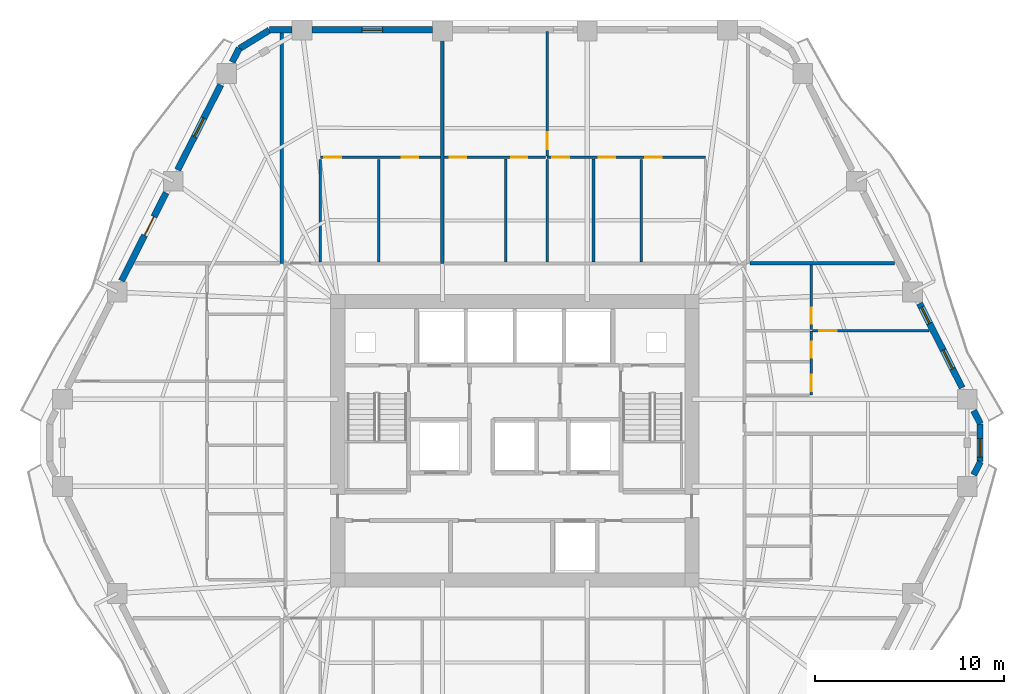
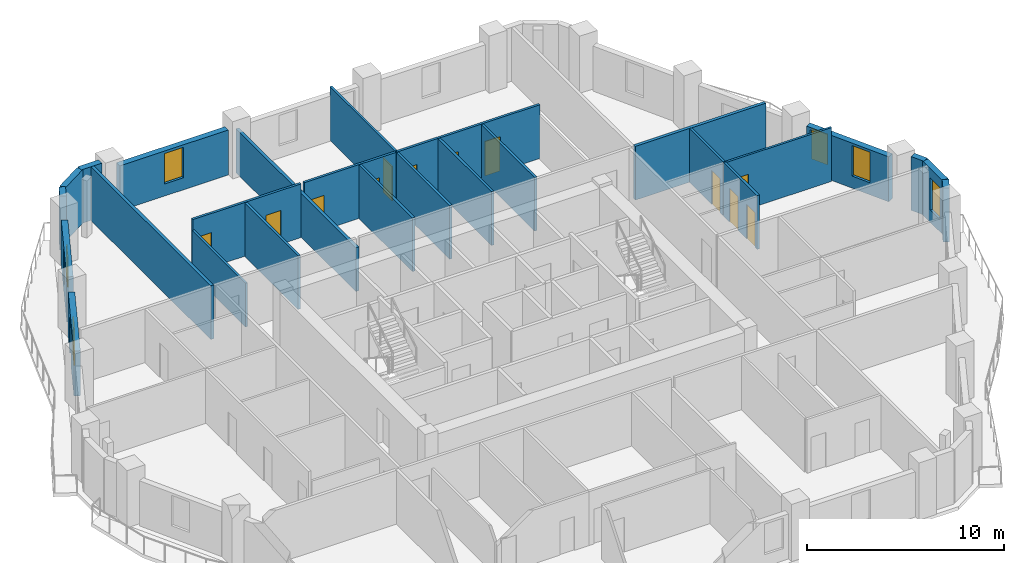
# One storey, part 7 of 11: 26 walls, 13 doors, 5 windows, 18 openings.
"""IFC4 building model written with IfcOpenShell, lengths in metres."""

from ifc_helpers import new_model, si_unit, direction, frame, frame_2d, origin, place, context, subcontext, project, spatial, rectangle, extrude, material, layer, layer_set, type_object, element, fill, save


model = new_model("IFC4")

# Units and contexts
model_context = context("Model", 3, precision=1e-05, world=origin(), true_north=direction((0.0, 1.0)))
body_context = subcontext(model_context, "Body", "Model", "MODEL_VIEW")
ifc_project = project(units=[si_unit("LENGTHUNIT", "METRE"), si_unit("AREAUNIT", "SQUARE_METRE"), si_unit("VOLUMEUNIT", "CUBIC_METRE"), si_unit("PLANEANGLEUNIT", "RADIAN"), si_unit("MASSUNIT", "GRAM", prefix="KILO")], contexts=[model_context])

# Site, building, storey
site_placement = place(None, origin())
site = spatial("IfcSite", under=ifc_project, at=site_placement, CompositionType="ELEMENT")
building_placement = place(site_placement, origin())
building = spatial("IfcBuilding", under=site, at=building_placement, Name="Cinnabar Lancet Tower", CompositionType="ELEMENT")
storey_placement = place(building_placement, frame((0.0, 0.0, 105.5)))
storey = spatial("IfcBuildingStorey", under=building, at=storey_placement, Name="L27", CompositionType="ELEMENT", Elevation=105.5)

# Walls
ifc_material_1 = material(Name="Fire-rated twin-frame acoustic drywall", Category="gypsum")
ifc_layer_1 = layer(ifc_material_1, 0.179931640625)
ifc_layer_set_1 = layer_set([ifc_layer_1], Name="Fire-rated twin-frame acoustic drywall")
wall_type_1 = type_object("IfcWallType", Name="ARC-WL-PARTY-180", PredefinedType="PARTITIONING", material=ifc_layer_set_1)
wall_1_placement = place(storey_placement, frame((20.050048828125, 35.300048828125, 0.0), z_axis=(0.0, 0.0, 1.0), x_axis=(0.0, 1.0, 0.0)))
element("IfcWall", 1, at=wall_1_placement, inside=storey, type_object=wall_type_1, Name="PW-L27-NPTY-200", PredefinedType="PARTITIONING", context=body_context, shape_type="SweptSolid", body=[
    extrude(rectangle(XDim=12.195068359375, YDim=0.179931640625, at=frame_2d((6.09765625, 0.0))), origin(), (0.0, 0.0, 1.0), 3.340087890625),
])
wall_2_placement = place(storey_placement, frame((28.568115234375, 35.300048828125, 0.0), z_axis=(0.0, 0.0, 1.0), x_axis=(0.0, 1.0, 0.0)))
element("IfcWall", 2, at=wall_2_placement, inside=storey, type_object=wall_type_1, Name="PW-L27-NPTY-286", PredefinedType="PARTITIONING", context=body_context, shape_type="SweptSolid", body=[
    extrude(rectangle(XDim=12.195068359375, YDim=0.179931640625, at=frame_2d((6.09765625, 0.0))), origin(), (0.0, 0.0, 1.0), 2.721923828125),
])
wall_3_placement = place(storey_placement, frame((44.844970703125, 35.300048828125, 0.0), z_axis=(0.0, 0.0, 1.0), x_axis=(1.0, 0.0, 0.0)))
element("IfcWall", 3, at=wall_3_placement, inside=storey, type_object=wall_type_1, Name="PW-L27-ENB", PredefinedType="PARTITIONING", context=body_context, shape_type="SweptSolid", body=[
    extrude(rectangle(XDim=7.6689453125, YDim=0.179931640625, at=frame_2d((3.83447265625, 0.0))), origin(), (0.0, 0.0, 1.0), 3.340087890625),
])
ifc_material_2 = material(Name="Gypsum plasterboard stud partition", Category="gypsum")
ifc_layer_2 = layer(ifc_material_2, 0.125)
ifc_layer_set_2 = layer_set([ifc_layer_2], Name="Gypsum plasterboard stud partition")
wall_type_2 = type_object("IfcWallType", Name="ARC-WL-UNIT-125", PredefinedType="PARTITIONING", material=ifc_layer_set_2)
wall_4_placement = place(storey_placement, frame((22.10009765625, 35.385009765625, 0.0), z_axis=(0.0, 0.0, 1.0), x_axis=(0.0, 1.0, 0.0)))
element("IfcWall", 4, at=wall_4_placement, inside=storey, type_object=wall_type_2, Name="UW-L27-N01-FOYE", PredefinedType="PARTITIONING", context=body_context, shape_type="SweptSolid", body=[
    extrude(rectangle(XDim=5.419921875, YDim=0.125, at=frame_2d((2.7099609375, 0.0))), origin(), (0.0, 0.0, 1.0), 2.721923828125),
])

# Wall, opening, door
wall_5_placement = place(storey_placement, frame((34.111083984375, 40.985107421875, 0.0), z_axis=(0.0, 0.0, 1.0), x_axis=(0.0, 1.0, 0.0)))
wall_5 = element("IfcWall", 5, at=wall_5_placement, inside=storey, type_object=wall_type_2, Name="UW-L27-N02-MBW", PredefinedType="PARTITIONING", context=body_context, shape_type="SweptSolid", body=[
    extrude(rectangle(XDim=6.599853515625, YDim=0.125, at=frame_2d((3.2998046875, 0.0))), origin(), (0.0, 0.0, 1.0), 3.340087890625),
])
opening_1_placement = place(wall_5_placement, frame((0.35009765625, 0.0, 0.0)))
opening_1 = element("IfcOpeningElement", 6, at=opening_1_placement, cuts=wall_5, Name="Opening RD-01", PredefinedType="OPENING", context=body_context, shape_type="SweptSolid", body=[
    extrude(rectangle(XDim=0.919921875, YDim=2.14990234375, at=frame_2d((0.4599609375, 1.074951171875))), frame((0.0, 0.072509765625, 0.0), z_axis=(0.0, -1.0, 0.0), x_axis=(1.0, 0.0, 0.0)), (0.0, 0.0, 1.0), 0.14501953125),
])
ifc_material_3 = material(Name="Engineered timber bedroom door", Category="wood")
door_type_1 = type_object("IfcDoorType", Name="ARC-DR-ROOM", OperationType="NOTDEFINED", PredefinedType="DOOR", material=ifc_material_3)
door_1_placement = place(opening_1_placement, origin())
door_1 = element("IfcDoor", 7, at=door_1_placement, inside=storey, type_object=door_type_1, Name="DR-L27-N02-MBD", OperationType="SINGLE_SWING_RIGHT", OverallHeight=2.14990234375, OverallWidth=0.919921875, PredefinedType="DOOR", context=body_context, shape_type="SweptSolid", body=[
    extrude(rectangle(XDim=0.919921875, YDim=2.14990234375, at=frame_2d((0.4599609375, 1.074951171875))), frame((0.0, 0.02490234375, 0.0), z_axis=(0.0, -1.0, 0.0), x_axis=(1.0, 0.0, 0.0)), (0.0, 0.0, 1.0), 0.050048828125),
])
fill(opening_1, door_1)

wall_6_placement = place(storey_placement, frame((48.175048828125, 31.72607421875, 0.0), z_axis=(0.0, 0.0, 1.0), x_axis=(1.0, 0.0, 0.0)))
wall_6 = element("IfcWall", 8, at=wall_6_placement, inside=storey, type_object=wall_type_2, Name="UW-L27-E02-MBN", PredefinedType="PARTITIONING", context=body_context, shape_type="SweptSolid", body=[
    extrude(rectangle(XDim=6.161865234375, YDim=0.125, at=frame_2d((3.0810546875, 0.0))), origin(), (0.0, 0.0, 1.0), 3.340087890625),
])
opening_2_placement = place(wall_6_placement, frame((0.35009765625, 0.0, 0.0)))
opening_2 = element("IfcOpeningElement", 9, at=opening_2_placement, cuts=wall_6, Name="Opening RD-01", PredefinedType="OPENING", context=body_context, shape_type="SweptSolid", body=[
    extrude(rectangle(XDim=0.919921875, YDim=2.14990234375, at=frame_2d((0.4599609375, 1.074951171875))), frame((0.0, 0.072509765625, 0.0), z_axis=(0.0, -1.0, 0.0), x_axis=(1.0, 0.0, 0.0)), (0.0, 0.0, 1.0), 0.14501953125),
])
door_2_placement = place(opening_2_placement, origin())
door_2 = element("IfcDoor", 10, at=door_2_placement, inside=storey, type_object=door_type_1, Name="DR-L27-E02-MBD", OperationType="SINGLE_SWING_LEFT", OverallHeight=2.14990234375, OverallWidth=0.919921875, PredefinedType="DOOR", context=body_context, shape_type="SweptSolid", body=[
    extrude(rectangle(XDim=0.919921875, YDim=2.14990234375, at=frame_2d((0.4599609375, 1.074951171875))), frame((0.0, 0.02490234375, 0.0), z_axis=(0.0, -1.0, 0.0), x_axis=(1.0, 0.0, 0.0)), (0.0, 0.0, 1.0), 0.050048828125),
])
fill(opening_2, door_2)

# Wall, openings, doors
ifc_material_4 = material(Name="Moisture-resistant cement-board plumbing wall", Category="masonry")
ifc_layer_3 = layer(ifc_material_4, 0.139892578125)
ifc_layer_set_3 = layer_set([ifc_layer_3], Name="Moisture-resistant cement-board plumbing wall")
wall_type_3 = type_object("IfcWallType", Name="ARC-WL-WET-140", PredefinedType="PLUMBINGWALL", material=ifc_layer_set_3)
wall_7_placement = place(storey_placement, frame((22.10009765625, 40.909912109375, 0.0), z_axis=(0.0, 0.0, 1.0), x_axis=(1.0, 0.0, 0.0)))
wall_7 = element("IfcWall", 11, at=wall_7_placement, inside=storey, type_object=wall_type_3, Name="UW-L27-N01-SPL", PredefinedType="PLUMBINGWALL", context=body_context, shape_type="SweptSolid", body=[
    extrude(rectangle(XDim=6.372802734375, YDim=0.139892578125, at=frame_2d((3.1865234375, 0.0))), origin(), (0.0, 0.0, 1.0), 3.340087890625),
])
opening_3_placement = place(wall_7_placement, frame((4.31396484375, 0.0, 0.0)))
opening_3 = element("IfcOpeningElement", 12, at=opening_3_placement, cuts=wall_7, Name="Opening BD-01", PredefinedType="OPENING", context=body_context, shape_type="SweptSolid", body=[
    extrude(rectangle(XDim=0.860107421875, YDim=2.10009765625, at=frame_2d((0.43017578125, 1.050048828125))), frame((0.0, 0.079833984375, 0.0), z_axis=(0.0, -1.0, 0.0), x_axis=(1.0, 0.0, 0.0)), (0.0, 0.0, 1.0), 0.159912109375),
])
opening_4_placement = place(wall_7_placement, frame((0.219970703125, 0.0, 0.0)))
opening_4 = element("IfcOpeningElement", 13, at=opening_4_placement, cuts=wall_7, Name="Opening RD-02", PredefinedType="OPENING", context=body_context, shape_type="SweptSolid", body=[
    extrude(rectangle(XDim=0.8798828125, YDim=2.14990234375, at=frame_2d((0.43994140625, 1.074951171875))), frame((0.0, 0.079833984375, 0.0), z_axis=(0.0, -1.0, 0.0), x_axis=(1.0, 0.0, 0.0)), (0.0, 0.0, 1.0), 0.159912109375),
])
ifc_material_5 = material(Name="Moisture-resistant timber bathroom door", Category="wood")
door_type_2 = type_object("IfcDoorType", Name="ARC-DR-BATH", OperationType="NOTDEFINED", PredefinedType="DOOR", material=ifc_material_5)
door_3_placement = place(opening_3_placement, origin())
door_3 = element("IfcDoor", 14, at=door_3_placement, inside=storey, type_object=door_type_2, Name="DR-L27-N01-BTH", OperationType="SINGLE_SWING_RIGHT", OverallHeight=2.10009765625, OverallWidth=0.860107421875, PredefinedType="DOOR", context=body_context, shape_type="SweptSolid", body=[
    extrude(rectangle(XDim=0.860107421875, YDim=2.10009765625, at=frame_2d((0.43017578125, 1.050048828125))), frame((0.0, 0.02490234375, 0.0), z_axis=(0.0, -1.0, 0.0), x_axis=(1.0, 0.0, 0.0)), (0.0, 0.0, 1.0), 0.050048828125),
])
fill(opening_3, door_3)
ifc_material_6 = material(Name="Engineered timber study door", Category="wood")
door_type_3 = type_object("IfcDoorType", Name="ARC-DR-STUDY", OperationType="NOTDEFINED", PredefinedType="DOOR", material=ifc_material_6)
door_4_placement = place(opening_4_placement, origin())
door_4 = element("IfcDoor", 15, at=door_4_placement, inside=storey, type_object=door_type_3, Name="DR-L27-N01-KIT", OperationType="SINGLE_SWING_LEFT", OverallHeight=2.14990234375, OverallWidth=0.8798828125, PredefinedType="DOOR", context=body_context, shape_type="SweptSolid", body=[
    extrude(rectangle(XDim=0.8798828125, YDim=2.14990234375, at=frame_2d((0.43994140625, 1.074951171875))), frame((0.0, 0.02490234375, 0.0), z_axis=(0.0, -1.0, 0.0), x_axis=(1.0, 0.0, 0.0)), (0.0, 0.0, 1.0), 0.050048828125),
])
fill(opening_4, door_4)

# Wall
wall_8_placement = place(storey_placement, frame((25.205078125, 35.385009765625, 0.0), z_axis=(0.0, 0.0, 1.0), x_axis=(0.0, 1.0, 0.0)))
element("IfcWall", 16, at=wall_8_placement, inside=storey, type_object=wall_type_3, Name="UW-L27-N01-KDV", PredefinedType="PLUMBINGWALL", context=body_context, shape_type="SweptSolid", body=[
    extrude(rectangle(XDim=5.419921875, YDim=0.139892578125, at=frame_2d((2.7099609375, 0.0))), origin(), (0.0, 0.0, 1.0), 3.340087890625),
])

# Wall, openings, doors
wall_9_placement = place(storey_placement, frame((34.111083984375, 40.909912109375, 0.0), z_axis=(0.0, 0.0, 1.0), x_axis=(1.0, 0.0, 0.0)))
wall_9 = element("IfcWall", 17, at=wall_9_placement, inside=storey, type_object=wall_type_3, Name="UW-L27-N02-SPL", PredefinedType="PLUMBINGWALL", context=body_context, shape_type="SweptSolid", body=[
    extrude(rectangle(XDim=8.388916015625, YDim=0.139892578125, at=frame_2d((4.1943359375, 0.0))), origin(), (0.0, 0.0, 1.0), 3.340087890625),
])
opening_5_placement = place(wall_9_placement, frame((0.280029296875, 0.0, 0.0)))
opening_5 = element("IfcOpeningElement", 18, at=opening_5_placement, cuts=wall_9, Name="Opening RD-02", PredefinedType="OPENING", context=body_context, shape_type="SweptSolid", body=[
    extrude(rectangle(XDim=0.8798828125, YDim=2.14990234375, at=frame_2d((0.43994140625, 1.074951171875))), frame((0.0, 0.079833984375, 0.0), z_axis=(0.0, -1.0, 0.0), x_axis=(1.0, 0.0, 0.0)), (0.0, 0.0, 1.0), 0.159912109375),
])
opening_6_placement = place(wall_9_placement, frame((2.737060546875, 0.0, 0.0)))
opening_6 = element("IfcOpeningElement", 19, at=opening_6_placement, cuts=wall_9, Name="Opening BD-01", PredefinedType="OPENING", context=body_context, shape_type="SweptSolid", body=[
    extrude(rectangle(XDim=0.860107421875, YDim=2.10009765625, at=frame_2d((0.43017578125, 1.050048828125))), frame((0.0, 0.079833984375, 0.0), z_axis=(0.0, -1.0, 0.0), x_axis=(1.0, 0.0, 0.0)), (0.0, 0.0, 1.0), 0.159912109375),
])
opening_7_placement = place(wall_9_placement, frame((5.18896484375, 0.0, 0.0)))
opening_7 = element("IfcOpeningElement", 20, at=opening_7_placement, cuts=wall_9, Name="Opening RD-02", PredefinedType="OPENING", context=body_context, shape_type="SweptSolid", body=[
    extrude(rectangle(XDim=0.8798828125, YDim=2.14990234375, at=frame_2d((0.43994140625, 1.074951171875))), frame((0.0, 0.079833984375, 0.0), z_axis=(0.0, -1.0, 0.0), x_axis=(1.0, 0.0, 0.0)), (0.0, 0.0, 1.0), 0.159912109375),
])
door_5_placement = place(opening_6_placement, origin())
door_5 = element("IfcDoor", 21, at=door_5_placement, inside=storey, type_object=door_type_2, Name="DR-L27-N02-BTH", OperationType="SINGLE_SWING_LEFT", OverallHeight=2.10009765625, OverallWidth=0.860107421875, PredefinedType="DOOR", context=body_context, shape_type="SweptSolid", body=[
    extrude(rectangle(XDim=0.860107421875, YDim=2.10009765625, at=frame_2d((0.43017578125, 1.050048828125))), frame((0.0, 0.02490234375, 0.0), z_axis=(0.0, -1.0, 0.0), x_axis=(1.0, 0.0, 0.0)), (0.0, 0.0, 1.0), 0.050048828125),
])
fill(opening_6, door_5)
door_6_placement = place(opening_5_placement, origin())
door_6 = element("IfcDoor", 22, at=door_6_placement, inside=storey, type_object=door_type_3, Name="DR-L27-N02-BTH-WDR", OperationType="SINGLE_SWING_RIGHT", OverallHeight=2.14990234375, OverallWidth=0.8798828125, PredefinedType="DOOR", context=body_context, shape_type="SweptSolid", body=[
    extrude(rectangle(XDim=0.8798828125, YDim=2.14990234375, at=frame_2d((0.43994140625, 1.074951171875))), frame((0.0, 0.02490234375, 0.0), z_axis=(0.0, -1.0, 0.0), x_axis=(1.0, 0.0, 0.0)), (0.0, 0.0, 1.0), 0.050048828125),
])
fill(opening_5, door_6)
door_7_placement = place(opening_7_placement, origin())
door_7 = element("IfcDoor", 23, at=door_7_placement, inside=storey, type_object=door_type_3, Name="DR-L27-N02-KIT", OperationType="SINGLE_SWING_LEFT", OverallHeight=2.14990234375, OverallWidth=0.8798828125, PredefinedType="DOOR", context=body_context, shape_type="SweptSolid", body=[
    extrude(rectangle(XDim=0.8798828125, YDim=2.14990234375, at=frame_2d((0.43994140625, 1.074951171875))), frame((0.0, 0.02490234375, 0.0), z_axis=(0.0, -1.0, 0.0), x_axis=(1.0, 0.0, 0.0)), (0.0, 0.0, 1.0), 0.050048828125),
])
fill(opening_7, door_7)

wall_10_placement = place(storey_placement, frame((28.6630859375, 40.909912109375, 0.0), z_axis=(0.0, 0.0, 1.0), x_axis=(1.0, 0.0, 0.0)))
wall_10 = element("IfcWall", 24, at=wall_10_placement, inside=storey, type_object=wall_type_3, Name="UW-L27-N02-SPM", PredefinedType="PLUMBINGWALL", context=body_context, shape_type="SweptSolid", body=[
    extrude(rectangle(XDim=5.372802734375, YDim=0.139892578125, at=frame_2d((2.6865234375, 0.0))), origin(), (0.0, 0.0, 1.0), 3.340087890625),
])
opening_8_placement = place(wall_10_placement, frame((0.280029296875, 0.0, 0.0)))
opening_8 = element("IfcOpeningElement", 25, at=opening_8_placement, cuts=wall_10, Name="Opening RD-02", PredefinedType="OPENING", context=body_context, shape_type="SweptSolid", body=[
    extrude(rectangle(XDim=0.8798828125, YDim=2.14990234375, at=frame_2d((0.43994140625, 1.074951171875))), frame((0.0, 0.079833984375, 0.0), z_axis=(0.0, -1.0, 0.0), x_axis=(1.0, 0.0, 0.0)), (0.0, 0.0, 1.0), 0.159912109375),
])
opening_9_placement = place(wall_10_placement, frame((3.54296875, 0.0, 0.0)))
opening_9 = element("IfcOpeningElement", 26, at=opening_9_placement, cuts=wall_10, Name="Opening BD-01", PredefinedType="OPENING", context=body_context, shape_type="SweptSolid", body=[
    extrude(rectangle(XDim=0.860107421875, YDim=2.10009765625, at=frame_2d((0.43017578125, 1.050048828125))), frame((0.0, 0.079833984375, 0.0), z_axis=(0.0, -1.0, 0.0), x_axis=(1.0, 0.0, 0.0)), (0.0, 0.0, 1.0), 0.159912109375),
])
door_8_placement = place(opening_9_placement, origin())
door_8 = element("IfcDoor", 27, at=door_8_placement, inside=storey, type_object=door_type_2, Name="DR-L27-N02-ENS", OperationType="SINGLE_SWING_RIGHT", OverallHeight=2.10009765625, OverallWidth=0.860107421875, PredefinedType="DOOR", context=body_context, shape_type="SweptSolid", body=[
    extrude(rectangle(XDim=0.860107421875, YDim=2.10009765625, at=frame_2d((0.43017578125, 1.050048828125))), frame((0.0, 0.02490234375, 0.0), z_axis=(0.0, -1.0, 0.0), x_axis=(1.0, 0.0, 0.0)), (0.0, 0.0, 1.0), 0.050048828125),
])
fill(opening_9, door_8)
door_9_placement = place(opening_8_placement, origin())
door_9 = element("IfcDoor", 28, at=door_9_placement, inside=storey, type_object=door_type_3, Name="DR-L27-N02-ENS-WDR", OperationType="SINGLE_SWING_LEFT", OverallHeight=2.14990234375, OverallWidth=0.8798828125, PredefinedType="DOOR", context=body_context, shape_type="SweptSolid", body=[
    extrude(rectangle(XDim=0.8798828125, YDim=2.14990234375, at=frame_2d((0.43994140625, 1.074951171875))), frame((0.0, 0.02490234375, 0.0), z_axis=(0.0, -1.0, 0.0), x_axis=(1.0, 0.0, 0.0)), (0.0, 0.0, 1.0), 0.050048828125),
])
fill(opening_8, door_9)

# Walls
for number, where, z_axis, x_axis, name in (
    (29, (39.10009765625, 35.385009765625, 0.0), (0.0, 0.0, 1.0), (0.0, 1.0, 0.0), "UW-L27-N02-KBD"),
    (30, (34.111083984375, 35.385009765625, 0.0), (0.0, 0.0, 1.0), (0.0, 1.0, 0.0), "UW-L27-N02-ENSW"),
):
    element("IfcWall", number, at=place(storey_placement, frame(where, z_axis=z_axis, x_axis=x_axis)), inside=storey, type_object=wall_type_3, Name=name, PredefinedType="PLUMBINGWALL", context=body_context, shape_type="SweptSolid", body=[
        extrude(rectangle(XDim=5.419921875, YDim=0.139892578125, at=frame_2d((2.7099609375, 0.0))), origin(), (0.0, 0.0, 1.0), 3.340087890625),
    ])
for number, where, z_axis, x_axis, name in (
    (31, (36.568115234375, 35.385009765625, 0.0), (0.0, 0.0, 1.0), (0.0, 1.0, 0.0), "UW-L27-N02-BTH-WDV"),
    (32, (31.926025390625, 35.385009765625, 0.0), (0.0, 0.0, 1.0), (0.0, 1.0, 0.0), "UW-L27-N02-ENS-WDV"),
):
    element("IfcWall", number, at=place(storey_placement, frame(where, z_axis=z_axis, x_axis=x_axis)), inside=storey, type_object=wall_type_3, Name=name, PredefinedType="PLUMBINGWALL", context=body_context, shape_type="SweptSolid", body=[
        extrude(rectangle(XDim=5.43994140625, YDim=0.139892578125, at=frame_2d((2.719970703125, 0.0))), origin(), (0.0, 0.0, 1.0), 3.340087890625),
    ])

# Wall, openings, doors
wall_11_placement = place(storey_placement, frame((48.10009765625, 28.325927734375, 0.0), z_axis=(0.0, 0.0, 1.0), x_axis=(0.0, 1.0, 0.0)))
wall_11 = element("IfcWall", 33, at=wall_11_placement, inside=storey, type_object=wall_type_3, Name="UW-L27-E02-SPL", PredefinedType="PLUMBINGWALL", context=body_context, shape_type="SweptSolid", body=[
    extrude(rectangle(XDim=3.400146484375, YDim=0.139892578125, at=frame_2d((1.7001953125, 0.0))), origin(), (0.0, 0.0, 1.0), 3.340087890625),
])
opening_10_placement = place(wall_11_placement, frame((0.199951171875, 0.0, 0.0)))
opening_10 = element("IfcOpeningElement", 34, at=opening_10_placement, cuts=wall_11, Name="Opening RD-02", PredefinedType="OPENING", context=body_context, shape_type="SweptSolid", body=[
    extrude(rectangle(XDim=0.8798828125, YDim=2.14990234375, at=frame_2d((0.43994140625, 1.074951171875))), frame((0.0, 0.079833984375, 0.0), z_axis=(0.0, -1.0, 0.0), x_axis=(1.0, 0.0, 0.0)), (0.0, 0.0, 1.0), 0.159912109375),
])
opening_11_placement = place(wall_11_placement, frame((1.968017578125, 0.0, 0.0)))
opening_11 = element("IfcOpeningElement", 35, at=opening_11_placement, cuts=wall_11, Name="Opening BD-01", PredefinedType="OPENING", context=body_context, shape_type="SweptSolid", body=[
    extrude(rectangle(XDim=0.860107421875, YDim=2.10009765625, at=frame_2d((0.43017578125, 1.050048828125))), frame((0.0, 0.079833984375, 0.0), z_axis=(0.0, -1.0, 0.0), x_axis=(1.0, 0.0, 0.0)), (0.0, 0.0, 1.0), 0.159912109375),
])
door_10_placement = place(opening_11_placement, origin())
door_10 = element("IfcDoor", 36, at=door_10_placement, inside=storey, type_object=door_type_2, Name="DR-L27-E02-BTH", OperationType="SINGLE_SWING_LEFT", OverallHeight=2.10009765625, OverallWidth=0.860107421875, PredefinedType="DOOR", context=body_context, shape_type="SweptSolid", body=[
    extrude(rectangle(XDim=0.860107421875, YDim=2.10009765625, at=frame_2d((0.43017578125, 1.050048828125))), frame((0.0, 0.02490234375, 0.0), z_axis=(0.0, -1.0, 0.0), x_axis=(1.0, 0.0, 0.0)), (0.0, 0.0, 1.0), 0.050048828125),
])
fill(opening_11, door_10)
door_11_placement = place(opening_10_placement, origin())
door_11 = element("IfcDoor", 37, at=door_11_placement, inside=storey, type_object=door_type_3, Name="DR-L27-E02-KIT", OperationType="SINGLE_SWING_RIGHT", OverallHeight=2.14990234375, OverallWidth=0.8798828125, PredefinedType="DOOR", context=body_context, shape_type="SweptSolid", body=[
    extrude(rectangle(XDim=0.8798828125, YDim=2.14990234375, at=frame_2d((0.43994140625, 1.074951171875))), frame((0.0, 0.02490234375, 0.0), z_axis=(0.0, -1.0, 0.0), x_axis=(1.0, 0.0, 0.0)), (0.0, 0.0, 1.0), 0.050048828125),
])
fill(opening_10, door_11)

# Wall, opening, door
wall_12_placement = place(storey_placement, frame((48.10009765625, 31.7958984375, 0.0), z_axis=(0.0, 0.0, 1.0), x_axis=(0.0, 1.0, 0.0)))
wall_12 = element("IfcWall", 38, at=wall_12_placement, inside=storey, type_object=wall_type_3, Name="UW-L27-E02-SPM", PredefinedType="PLUMBINGWALL", context=body_context, shape_type="SweptSolid", body=[
    extrude(rectangle(XDim=3.4091796875, YDim=0.139892578125, at=frame_2d((1.70458984375, 0.0))), origin(), (0.0, 0.0, 1.0), 3.340087890625),
])
opening_12_placement = place(wall_12_placement, frame((0.300048828125, 0.0, 0.0)))
opening_12 = element("IfcOpeningElement", 39, at=opening_12_placement, cuts=wall_12, Name="Opening BD-01", PredefinedType="OPENING", context=body_context, shape_type="SweptSolid", body=[
    extrude(rectangle(XDim=0.860107421875, YDim=2.10009765625, at=frame_2d((0.43017578125, 1.050048828125))), frame((0.0, 0.079833984375, 0.0), z_axis=(0.0, -1.0, 0.0), x_axis=(1.0, 0.0, 0.0)), (0.0, 0.0, 1.0), 0.159912109375),
])
door_12_placement = place(opening_12_placement, origin())
door_12 = element("IfcDoor", 40, at=door_12_placement, inside=storey, type_object=door_type_2, Name="DR-L27-E02-ENS", OperationType="SINGLE_SWING_LEFT", OverallHeight=2.10009765625, OverallWidth=0.860107421875, PredefinedType="DOOR", context=body_context, shape_type="SweptSolid", body=[
    extrude(rectangle(XDim=0.860107421875, YDim=2.10009765625, at=frame_2d((0.43017578125, 1.050048828125))), frame((0.0, 0.02490234375, 0.0), z_axis=(0.0, -1.0, 0.0), x_axis=(1.0, 0.0, 0.0)), (0.0, 0.0, 1.0), 0.050048828125),
])
fill(opening_12, door_12)

# Wall, opening, window
ifc_material_7 = material(Name="Cinnabar red clay brick", Category="masonry")
ifc_layer_4 = layer(ifc_material_7, 0.340087890625)
ifc_layer_set_4 = layer_set([ifc_layer_4], Name="Cinnabar red clay brick")
wall_type_4 = type_object("IfcWallType", Name="ENV-WL-BRK-RED-340", PredefinedType="STANDARD", material=ifc_layer_set_4)
wall_13_placement = place(storey_placement, frame((57.032958984375, 24.802978515625, 0.0), z_axis=(0.0, 0.0, 1.0), x_axis=(0.0, 1.0, 0.0)))
wall_13 = element("IfcWall", 41, at=wall_13_placement, inside=storey, type_object=wall_type_4, Name="L27 Chamfered Corner Brick Pier 3.1", PredefinedType="STANDARD", context=body_context, shape_type="SweptSolid", body=[
    extrude(rectangle(XDim=1.994140625, YDim=0.340087890625, at=frame_2d((0.9970703125, 0.0))), origin(), (0.0, 0.0, 1.0), 3.340087890625),
])
opening_13_placement = place(wall_13_placement, frame((0.239990234375, 0.0, 0.75)))
opening_13 = element("IfcOpeningElement", 42, at=opening_13_placement, cuts=wall_13, Name="Opening WN-04", PredefinedType="OPENING", context=body_context, shape_type="SweptSolid", body=[
    extrude(rectangle(XDim=0.972900390625, YDim=2.0, at=frame_2d((0.486328125, 1.0))), frame((0.0, 0.179931640625, 0.0), z_axis=(0.0, -1.0, 0.0), x_axis=(1.0, 0.0, 0.0)), (0.0, 0.0, 1.0), 0.360107421875),
])
ifc_material_8 = material(Name="Thermally broken bronze-anodized aluminium tall lancet window", Category="aluminium")
window_type = type_object("IfcWindowType", Name="ENV-WN-LANCET-1100", PartitioningType="SINGLE_PANEL", PredefinedType="WINDOW", material=ifc_material_8)
window_1_placement = place(opening_13_placement, origin())
window_1 = element("IfcWindow", 43, at=window_1_placement, inside=storey, type_object=window_type, Name="L27 Dwelling Gothic Lancet Window 317", OverallHeight=2.0, OverallWidth=0.972900390625, PartitioningType="SINGLE_PANEL", PredefinedType="WINDOW", context=body_context, shape_type="SweptSolid", body=[
    extrude(rectangle(XDim=0.972900390625, YDim=2.0, at=frame_2d((0.486328125, 1.0))), frame((0.0, 0.030029296875, 0.0), z_axis=(0.0, -1.0, 0.0), x_axis=(1.0, 0.0, 0.0)), (0.0, 0.0, 1.0), 0.06005859375),
])
fill(opening_13, window_1)

# Walls
wall_14_placement = place(storey_placement, frame((19.403076171875, 47.64501953125, 0.0), z_axis=(0.0, 0.0, 1.0), x_axis=(-0.851798915137, -0.523868884523, 0.0)))
element("IfcWall", 44, at=wall_14_placement, inside=storey, type_object=wall_type_4, Name="L27 Chamfered Corner Brick Pier 5.1", PredefinedType="STANDARD", context=body_context, shape_type="SweptSolid", body=[
    extrude(rectangle(XDim=1.847900390625, YDim=0.340087890625, at=frame_2d((0.923828125, 0.0))), origin(), (0.0, 0.0, 1.0), 3.340087890625),
])
for number, where, z_axis, x_axis, name in (
    (45, (56.699951171875, 24.096923828125, 0.0), (0.0, 0.0, 1.0), (0.451819324107, 0.89210946546, 0.0), "L27 Face 2 Masonry Bay Wall 5"),
    (46, (57.053955078125, 26.803955078125, 0.0), (0.0, 0.0, 1.0), (-0.451819324107, 0.89210946546, 0.0), "L27 Face 3 Masonry Bay Wall 1"),
):
    element("IfcWall", number, at=place(storey_placement, frame(where, z_axis=z_axis, x_axis=x_axis)), inside=storey, type_object=wall_type_4, Name=name, PredefinedType="STANDARD", context=body_context, shape_type="SweptSolid", body=[
        extrude(rectangle(XDim=0.783447265625, YDim=0.340087890625, at=frame_2d((0.3916015625, 0.0))), origin(), (0.0, 0.0, 1.0), 3.340087890625),
    ])

# Wall, openings, windows
wall_15_placement = place(storey_placement, frame((56.0869140625, 28.715087890625, 0.0), z_axis=(0.0, 0.0, 1.0), x_axis=(-0.451431617681, 0.892305718102, 0.0)))
wall_15 = element("IfcWall", 47, at=wall_15_placement, inside=storey, type_object=wall_type_4, Name="L27 Face 3 Masonry Bay Wall 2", PredefinedType="STANDARD", context=body_context, shape_type="SweptSolid", body=[
    extrude(rectangle(XDim=4.994873046875, YDim=0.340087890625, at=frame_2d((2.49755859375, 0.0))), origin(), (0.0, 0.0, 1.0), 2.797119140625),
])
opening_14_placement = place(wall_15_placement, frame((1.1279296875, 0.0, 0.75)))
opening_14 = element("IfcOpeningElement", 48, at=opening_14_placement, cuts=wall_15, Name="Opening WN-04", PredefinedType="OPENING", context=body_context, shape_type="SweptSolid", body=[
    extrude(rectangle(XDim=1.10009765625, YDim=1.89697265625, at=frame_2d((0.550048828125, 0.948486328125))), frame((0.0, 0.179931640625, 0.0), z_axis=(0.0, -1.0, 0.0), x_axis=(1.0, 0.0, 0.0)), (0.0, 0.0, 1.0), 0.360107421875),
])
opening_15_placement = place(wall_15_placement, frame((3.81689453125, 0.0, 0.75)))
opening_15 = element("IfcOpeningElement", 49, at=opening_15_placement, cuts=wall_15, Name="Opening WN-04", PredefinedType="OPENING", context=body_context, shape_type="SweptSolid", body=[
    extrude(rectangle(XDim=0.9580078125, YDim=1.89697265625, at=frame_2d((0.47900390625, 0.948486328125))), frame((0.0, 0.179931640625, 0.0), z_axis=(0.0, -1.0, 0.0), x_axis=(1.0, 0.0, 0.0)), (0.0, 0.0, 1.0), 0.360107421875),
])
window_2_placement = place(opening_14_placement, origin())
window_2 = element("IfcWindow", 50, at=window_2_placement, inside=storey, type_object=window_type, Name="L27 Face 3 Gothic Lancet Window 2", OverallHeight=1.89697265625, OverallWidth=1.10009765625, PartitioningType="SINGLE_PANEL", PredefinedType="WINDOW", context=body_context, shape_type="SweptSolid", body=[
    extrude(rectangle(XDim=1.10009765625, YDim=1.89697265625, at=frame_2d((0.550048828125, 0.948486328125))), frame((0.0, 0.030029296875, 0.0), z_axis=(0.0, -1.0, 0.0), x_axis=(1.0, 0.0, 0.0)), (0.0, 0.0, 1.0), 0.06005859375),
])
fill(opening_14, window_2)
window_3_placement = place(opening_15_placement, origin())
window_3 = element("IfcWindow", 51, at=window_3_placement, inside=storey, type_object=window_type, Name="L27 Split-Bay Gothic Lancet Window 89", OverallHeight=1.89697265625, OverallWidth=0.9580078125, PartitioningType="SINGLE_PANEL", PredefinedType="WINDOW", context=body_context, shape_type="SweptSolid", body=[
    extrude(rectangle(XDim=0.9580078125, YDim=1.89697265625, at=frame_2d((0.47900390625, 0.948486328125))), frame((0.0, 0.030029296875, 0.0), z_axis=(0.0, -1.0, 0.0), x_axis=(1.0, 0.0, 0.0)), (0.0, 0.0, 1.0), 0.06005859375),
])
fill(opening_15, window_3)

# Wall, opening, window
wall_16_placement = place(storey_placement, frame((28.0390625, 47.669921875, 0.0), z_axis=(0.0, 0.0, 1.0), x_axis=(-1.0, 0.0, 0.0)))
wall_16 = element("IfcWall", 52, at=wall_16_placement, inside=storey, type_object=wall_type_4, Name="L27 Face 4 Masonry Bay Wall 4", PredefinedType="STANDARD", context=body_context, shape_type="SweptSolid", body=[
    extrude(rectangle(XDim=6.379150390625, YDim=0.340087890625, at=frame_2d((3.189453125, 0.0))), origin(), (0.0, 0.0, 1.0), 2.797119140625),
])
opening_16_placement = place(wall_16_placement, frame((2.639892578125, 0.0, 0.75)))
opening_16 = element("IfcOpeningElement", 53, at=opening_16_placement, cuts=wall_16, Name="Opening WN-04", PredefinedType="OPENING", context=body_context, shape_type="SweptSolid", body=[
    extrude(rectangle(XDim=1.10009765625, YDim=1.89697265625, at=frame_2d((0.550048828125, 0.948486328125))), frame((0.0, 0.179931640625, 0.0), z_axis=(0.0, -1.0, 0.0), x_axis=(1.0, 0.0, 0.0)), (0.0, 0.0, 1.0), 0.360107421875),
])
window_4_placement = place(opening_16_placement, origin())
window_4 = element("IfcWindow", 54, at=window_4_placement, inside=storey, type_object=window_type, Name="L27 Face 4 Gothic Lancet Window 4", OverallHeight=1.89697265625, OverallWidth=1.10009765625, PartitioningType="SINGLE_PANEL", PredefinedType="WINDOW", context=body_context, shape_type="SweptSolid", body=[
    extrude(rectangle(XDim=1.10009765625, YDim=1.89697265625, at=frame_2d((0.550048828125, 0.948486328125))), frame((0.0, 0.030029296875, 0.0), z_axis=(0.0, -1.0, 0.0), x_axis=(1.0, 0.0, 0.0)), (0.0, 0.0, 1.0), 0.06005859375),
])
fill(opening_16, window_4)

# Walls
wall_17_placement = place(storey_placement, frame((20.60205078125, 47.669921875, 0.0), z_axis=(0.0, 0.0, 1.0), x_axis=(-1.0, 0.0, 0.0)))
element("IfcWall", 55, at=wall_17_placement, inside=storey, type_object=wall_type_4, Name="L27 Face 4 Masonry Bay Wall 5", PredefinedType="STANDARD", context=body_context, shape_type="SweptSolid", body=[
    extrude(rectangle(XDim=1.2041015625, YDim=0.340087890625, at=frame_2d((0.60205078125, 0.0))), origin(), (0.0, 0.0, 1.0), 3.340087890625),
])
wall_18_placement = place(storey_placement, frame((17.80908203125, 46.693115234375, 0.0), z_axis=(0.0, 0.0, 1.0), x_axis=(-0.45160540153, -0.89221777684, 0.0)))
element("IfcWall", 56, at=wall_18_placement, inside=storey, type_object=wall_type_4, Name="L27 Face 5 Masonry Bay Wall 1", PredefinedType="STANDARD", context=body_context, shape_type="SweptSolid", body=[
    extrude(rectangle(XDim=0.82177734375, YDim=0.340087890625, at=frame_2d((0.410888671875, 0.0))), origin(), (0.0, 0.0, 1.0), 3.340087890625),
])

# Wall, opening, window
wall_19_placement = place(storey_placement, frame((16.824951171875, 44.748046875, 0.0), z_axis=(0.0, 0.0, 1.0), x_axis=(-0.451548465867, -0.892246593142, 0.0)))
wall_19 = element("IfcWall", 57, at=wall_19_placement, inside=storey, type_object=wall_type_4, Name="L27 Face 5 Masonry Bay Wall 2", PredefinedType="STANDARD", context=body_context, shape_type="SweptSolid", body=[
    extrude(rectangle(XDim=5.040283203125, YDim=0.340087890625, at=frame_2d((2.52001953125, 0.0))), origin(), (0.0, 0.0, 1.0), 2.797119140625),
])
opening_17_placement = place(wall_19_placement, frame((1.969970703125, 0.0, 0.75)))
opening_17 = element("IfcOpeningElement", 58, at=opening_17_placement, cuts=wall_19, Name="Opening WN-04", PredefinedType="OPENING", context=body_context, shape_type="SweptSolid", body=[
    extrude(rectangle(XDim=1.10009765625, YDim=1.89697265625, at=frame_2d((0.550048828125, 0.948486328125))), frame((0.0, 0.179931640625, 0.0), z_axis=(0.0, -1.0, 0.0), x_axis=(1.0, 0.0, 0.0)), (0.0, 0.0, 1.0), 0.360107421875),
])
window_5_placement = place(opening_17_placement, origin())
window_5 = element("IfcWindow", 59, at=window_5_placement, inside=storey, type_object=window_type, Name="L27 Face 5 Gothic Lancet Window 2", OverallHeight=1.89697265625, OverallWidth=1.10009765625, PartitioningType="SINGLE_PANEL", PredefinedType="WINDOW", context=body_context, shape_type="SweptSolid", body=[
    extrude(rectangle(XDim=1.10009765625, YDim=1.89697265625, at=frame_2d((0.550048828125, 0.948486328125))), frame((0.0, 0.030029296875, 0.0), z_axis=(0.0, -1.0, 0.0), x_axis=(1.0, 0.0, 0.0)), (0.0, 0.0, 1.0), 0.06005859375),
])
fill(opening_17, window_5)

# Wall, opening, door
wall_20_placement = place(storey_placement, frame((13.93701171875, 39.0390625, 0.0), z_axis=(0.0, 0.0, 1.0), x_axis=(-0.451567731634, -0.892236842855, 0.0)))
wall_20 = element("IfcWall", 60, at=wall_20_placement, inside=storey, type_object=wall_type_4, Name="L27 Face 5 Masonry Bay Wall 3", PredefinedType="STANDARD", context=body_context, shape_type="SweptSolid", body=[
    extrude(rectangle(XDim=5.219482421875, YDim=0.340087890625, at=frame_2d((2.60986328125, 0.0))), origin(), (0.0, 0.0, 1.0), 2.797119140625),
])
opening_18_placement = place(wall_20_placement, frame((1.419921875, 0.0, 0.0)))
opening_18 = element("IfcOpeningElement", 61, at=opening_18_placement, cuts=wall_20, Name="Opening TD-01", PredefinedType="OPENING", context=body_context, shape_type="SweptSolid", body=[
    extrude(rectangle(XDim=1.10009765625, YDim=2.25, at=frame_2d((0.550048828125, 1.125))), frame((0.0, 0.179931640625, 0.0), z_axis=(0.0, -1.0, 0.0), x_axis=(1.0, 0.0, 0.0)), (0.0, 0.0, 1.0), 0.360107421875),
])
ifc_material_9 = material(Name="Thermally broken low-E glazed balcony terrace door", Category="wood")
door_type_4 = type_object("IfcDoorType", Name="ARC-DR-BALC", OperationType="NOTDEFINED", PredefinedType="DOOR", material=ifc_material_9)
door_13_placement = place(opening_18_placement, origin())
door_13 = element("IfcDoor", 62, at=door_13_placement, inside=storey, type_object=door_type_4, Name="L27 Face 5 Glazed Terrace Door", OperationType="SINGLE_SWING_RIGHT", OverallHeight=2.25, OverallWidth=1.10009765625, PredefinedType="DOOR", context=body_context, shape_type="SweptSolid", body=[
    extrude(rectangle(XDim=1.10009765625, YDim=2.25, at=frame_2d((0.550048828125, 1.125))), frame((0.0, 0.02490234375, 0.0), z_axis=(0.0, -1.0, 0.0), x_axis=(1.0, 0.0, 0.0)), (0.0, 0.0, 1.0), 0.050048828125),
])
fill(opening_18, door_13)

save(model, "model.ifc")
